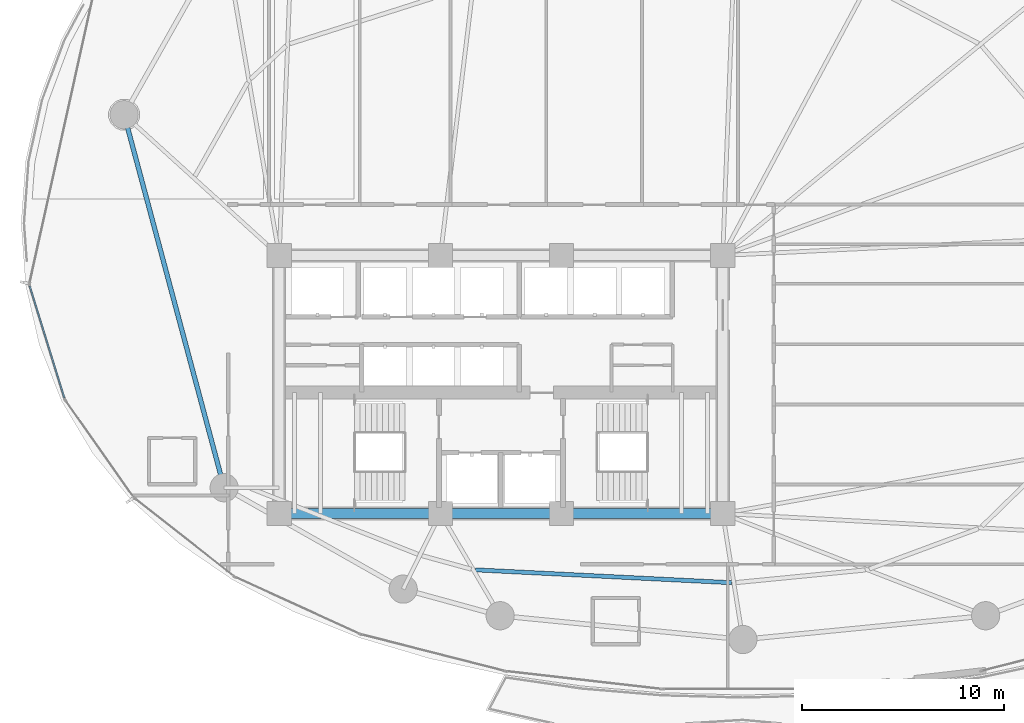
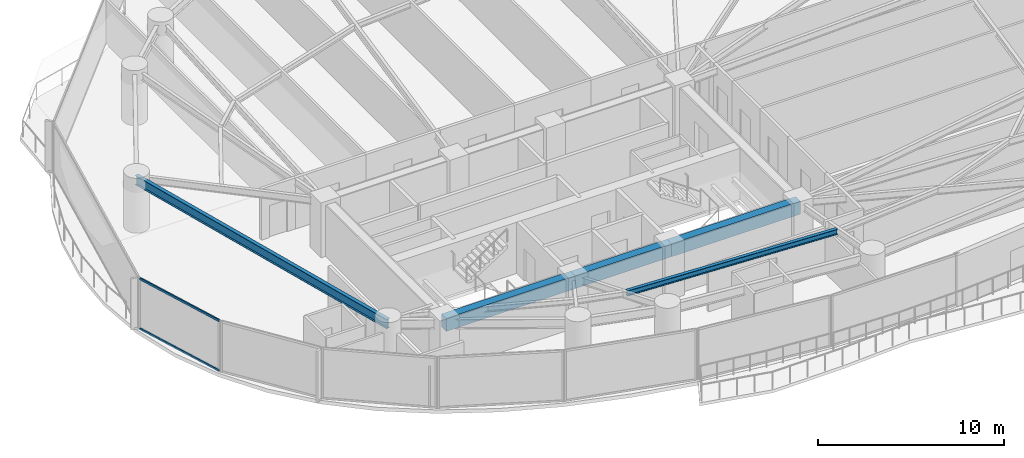
# One storey, part 7 of 33: 5 beams, 2 members, 1 element without a shape of its own.
"""IFC4 building model written with IfcOpenShell, lengths in metres."""

from ifc_helpers import new_model, si_unit, direction, frame, origin, origin_2d, place, context, subcontext, project, spatial, rectangle, hollow_rectangle, i_section, extrude, material, layer, layer_set, material_profile, profile_set, type_object, element, aggregate, save


model = new_model("IFC4")

# Units and contexts
model_context = context("Model", 3, precision=1e-05, world=origin(), true_north=direction((0.0, 1.0)))
body_context = subcontext(model_context, "Body", "Model", "MODEL_VIEW")
ifc_project = project(units=[si_unit("LENGTHUNIT", "METRE"), si_unit("AREAUNIT", "SQUARE_METRE"), si_unit("VOLUMEUNIT", "CUBIC_METRE"), si_unit("PLANEANGLEUNIT", "RADIAN"), si_unit("MASSUNIT", "GRAM", prefix="KILO")], contexts=[model_context])

# Site, building, storey
site_placement = place(None, origin())
site = spatial("IfcSite", under=ifc_project, at=site_placement, CompositionType="ELEMENT")
building_placement = place(site_placement, origin())
building = spatial("IfcBuilding", under=site, at=building_placement, Name="Kazevale Care Tower and Concert Hall", CompositionType="ELEMENT")
storey_placement = place(building_placement, frame((0.0, 0.0, 45.60009765625)))
storey = spatial("IfcBuildingStorey", under=building, at=storey_placement, Name="L11", CompositionType="ELEMENT", Elevation=45.60009765625)

# Curtain wall, members
ifc_material_1 = material(Name="Aluminium 6063-T6 and Low-E Glass", Category="aluminium")
ifc_layer = layer(ifc_material_1, 0.179931640625)
ifc_layer_set = layer_set([ifc_layer], Name="Aluminium 6063-T6 and Low-E Glass")
curtain_wall_type = type_object("IfcCurtainWallType", Name="Waist & Upper Residential Curtain Wall CW-4", PredefinedType="NOTDEFINED", material=ifc_layer_set)
curtain_wall_placement = place(storey_placement, origin())
curtain_wall = element("IfcCurtainWall", 1, at=curtain_wall_placement, inside=storey, type_object=curtain_wall_type, Name="cw:L11:f12", PredefinedType="NOTDEFINED")
ifc_material_2 = material(Name="Aluminium 6063-T6", Category="aluminium")
ifc_material_profile_1 = material_profile(ifc_material_2, hollow_rectangle(XDim=0.080078125, YDim=0.139892578125, WallThickness=0.00390625, at=origin_2d()), Name="ALU80x140x4")
ifc_profile_set_1 = profile_set([ifc_material_profile_1], Name="Aluminium 6063-T6")
member_type = type_object("IfcMemberType", Name="CW-4 Transom ALU80x140x4", PredefinedType="USERDEFINED", material=ifc_profile_set_1)
member_1_placement = place(storey_placement, frame((11.347412109375, 29.33447265625, 0.039794921875), z_axis=(-0.296117563823, 0.955151500232, 0.0), x_axis=(-0.955151500232, -0.296117563823, 0.0)))
member_1 = element("IfcMember", 2, at=member_1_placement, type_object=member_type, Name="CW-4 transom 1.1", ObjectType="TRANSOM", PredefinedType="USERDEFINED", context=body_context, shape_type="SweptSolid", body=[
    extrude(hollow_rectangle(XDim=0.080078125, YDim=0.139892578125, WallThickness=0.00390625, at=origin_2d()), origin(), (0.0, 0.0, 1.0), 5.8076171875),
])
member_2_placement = place(storey_placement, frame((11.347412109375, 29.33447265625, 3.31982421875), z_axis=(-0.296117563823, 0.955151500232, 0.0), x_axis=(-0.955151500232, -0.296117563823, 0.0)))
member_2 = element("IfcMember", 3, at=member_2_placement, type_object=member_type, Name="CW-4 transom 1.2", ObjectType="TRANSOM", PredefinedType="USERDEFINED", context=body_context, shape_type="SweptSolid", body=[
    extrude(hollow_rectangle(XDim=0.080078125, YDim=0.139892578125, WallThickness=0.00390625, at=origin_2d()), origin(), (0.0, 0.0, 1.0), 5.8076171875),
])
aggregate(curtain_wall, [member_1, member_2])

# Beams
ifc_material_3 = material(Name="Concrete C60", Category="concrete")
ifc_material_profile_2 = material_profile(ifc_material_3, rectangle(XDim=0.5, YDim=0.85009765625, at=origin_2d()), Name="RC-B500x850")
ifc_profile_set_2 = profile_set([ifc_material_profile_2], Name="Concrete C60")
beam_type_1 = type_object("IfcBeamType", Name="Core Coupling Beam RC500x850", PredefinedType="LINTEL", material=ifc_profile_set_2)
beam_1_placement = place(storey_placement, frame((22.0, 23.60009765625, 2.934814453125), z_axis=(1.0, 0.0, 0.0), x_axis=(0.0, 1.0, 0.0)))
element("IfcBeam", 4, at=beam_1_placement, inside=storey, type_object=beam_type_1, Name="beam:L11:coretie:1", PredefinedType="LINTEL", context=body_context, shape_type="SweptSolid", body=[
    extrude(rectangle(XDim=0.5, YDim=0.85009765625, at=origin_2d()), origin(), (0.0, 0.0, 1.0), 8.0),
])
beam_2_placement = place(storey_placement, frame((30.0, 23.60009765625, 2.934814453125), z_axis=(1.0, 0.0, 0.0), x_axis=(0.0, 1.0, 0.0)))
element("IfcBeam", 5, at=beam_2_placement, inside=storey, type_object=beam_type_1, Name="beam:L11:coretie:2", PredefinedType="LINTEL", context=body_context, shape_type="SweptSolid", body=[
    extrude(rectangle(XDim=0.5, YDim=0.85009765625, at=origin_2d()), origin(), (0.0, 0.0, 1.0), 6.0),
])
beam_3_placement = place(storey_placement, frame((36.0, 23.60009765625, 2.934814453125), z_axis=(1.0, 0.0, 0.0), x_axis=(0.0, 1.0, 0.0)))
element("IfcBeam", 6, at=beam_3_placement, inside=storey, type_object=beam_type_1, Name="beam:L11:coretie:3", PredefinedType="LINTEL", context=body_context, shape_type="SweptSolid", body=[
    extrude(rectangle(XDim=0.5, YDim=0.85009765625, at=origin_2d()), origin(), (0.0, 0.0, 1.0), 8.0),
])
ifc_material_4 = material(Name="Steel ASTM A572 Gr 50", Category="steel")
ifc_material_profile_3 = material_profile(ifc_material_4, i_section(OverallWidth=0.22900390625, OverallDepth=0.612060546875, WebThickness=0.011962890625, FlangeThickness=0.01953125, at=origin_2d()), Name="W610x125")
ifc_profile_set_3 = profile_set([ifc_material_profile_3], Name="Steel ASTM A572 Gr 50")
beam_type_2 = type_object("IfcBeamType", Name="Ring Spandrel Beam W610x125", PredefinedType="SPANDREL", material=ifc_profile_set_3)
beam_4_placement = place(storey_placement, frame((14.31005859375, 43.3798828125, 3.053955078125), z_axis=(0.258960352031, -0.965887952133, 0.0), x_axis=(0.965887952133, 0.258960352031, 0.0)))
element("IfcBeam", 7, at=beam_4_placement, inside=storey, type_object=beam_type_2, Name="beam:L11:ring:09", PredefinedType="SPANDREL", context=body_context, shape_type="SweptSolid", body=[
    extrude(i_section(OverallWidth=0.22900390625, OverallDepth=0.612060546875, WebThickness=0.011962890625, FlangeThickness=0.01953125, at=origin_2d()), origin(), (0.0, 0.0, 1.0), 19.1533203125),
])
ifc_material_profile_4 = material_profile(ifc_material_4, i_section(OverallWidth=0.205078125, OverallDepth=0.35400390625, WebThickness=0.009521484375, FlangeThickness=0.016845703125, at=origin_2d()), Name="W360x79")
ifc_profile_set_4 = profile_set([ifc_material_profile_4], Name="Steel ASTM A572 Gr 50")
beam_type_3 = type_object("IfcBeamType", Name="Secondary Floor Joist W360x79", PredefinedType="JOIST", material=ifc_profile_set_4)
beam_5_placement = place(storey_placement, frame((31.73291015625, 20.805908203125, 3.182861328125), z_axis=(0.998743186005, -0.050120339262, 0.0), x_axis=(0.050120339262, 0.998743186005, 0.0)))
element("IfcBeam", 8, at=beam_5_placement, inside=storey, type_object=beam_type_3, Name="beam:L11:joist:12", PredefinedType="JOIST", context=body_context, shape_type="SweptSolid", body=[
    extrude(i_section(OverallWidth=0.205078125, OverallDepth=0.35400390625, WebThickness=0.009521484375, FlangeThickness=0.016845703125, at=origin_2d()), origin(), (0.0, 0.0, 1.0), 12.728271484375),
])

save(model, "model.ifc")
